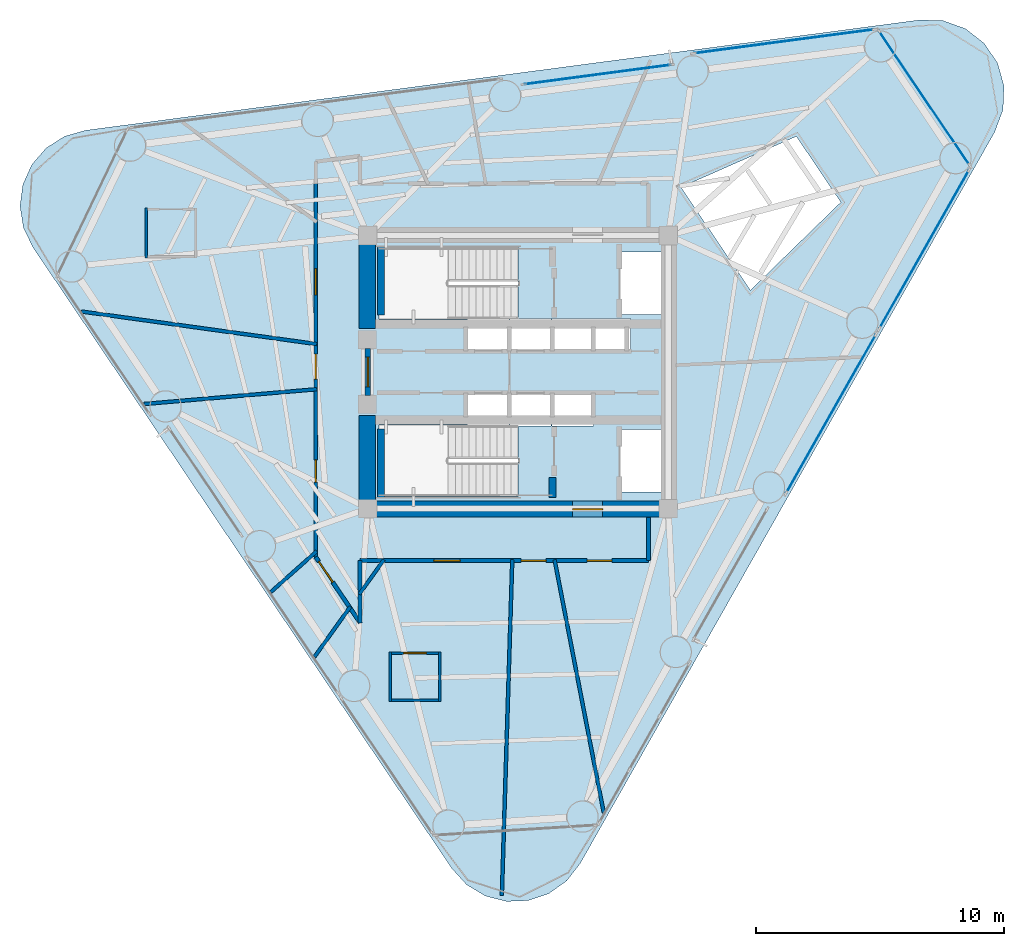
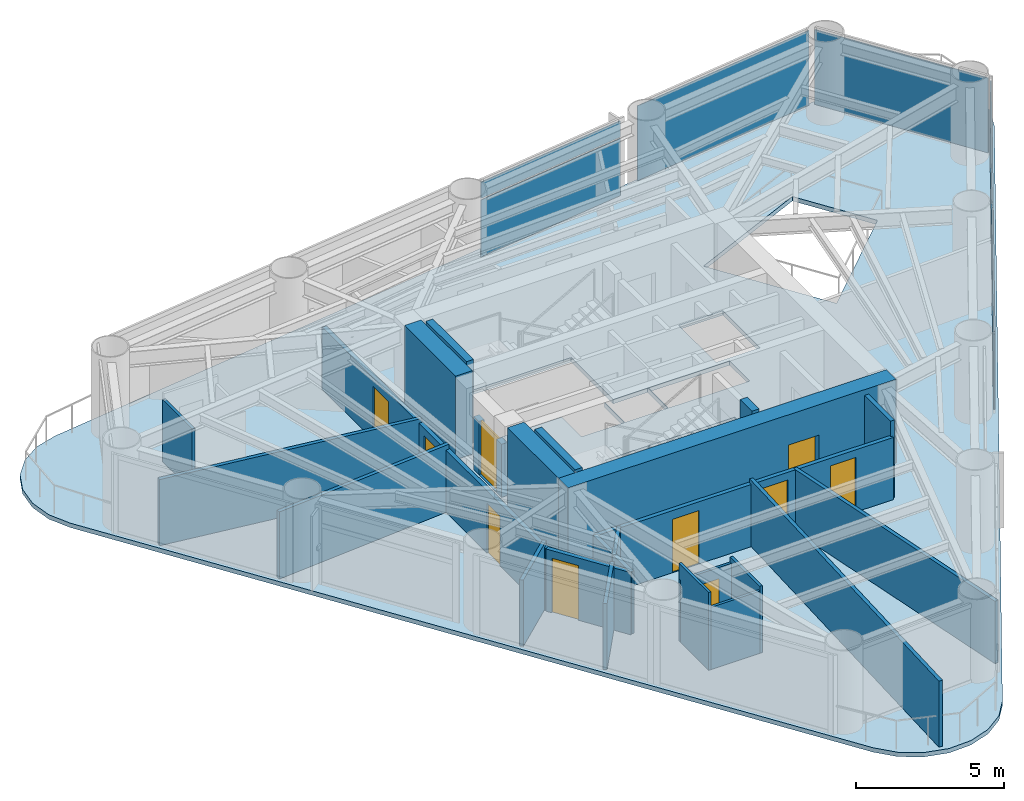
# One storey, part 5 of 10: 24 walls, 10 doors, 6 plates, 1 slab, 10 openings, 5 elements without a shape of their own.
"""IFC4 building model written with IfcOpenShell, lengths in metres."""

from ifc_helpers import new_model, si_unit, direction, frame, frame_2d, origin, origin_2d, place, context, subcontext, project, spatial, polyline, rectangle, outline, extrude, source, transform, mapped, material, layer, layer_set, type_object, element, fill, aggregate, save


model = new_model("IFC4")

# Units and contexts
model_context = context("Model", 3, precision=1e-05, world=origin(), true_north=direction((0.0, 1.0)))
body_context = subcontext(model_context, "Body", "Model", "MODEL_VIEW")
ifc_project = project(units=[si_unit("LENGTHUNIT", "METRE"), si_unit("AREAUNIT", "SQUARE_METRE"), si_unit("VOLUMEUNIT", "CUBIC_METRE"), si_unit("PLANEANGLEUNIT", "RADIAN"), si_unit("MASSUNIT", "GRAM", prefix="KILO")], contexts=[model_context])

# Site, building, storey
site_placement = place(None, origin())
site = spatial("IfcSite", under=ifc_project, at=site_placement, CompositionType="ELEMENT")
building_placement = place(site_placement, origin())
building = spatial("IfcBuilding", under=site, at=building_placement, Name="Yunling Apex Tower", CompositionType="ELEMENT")
storey_placement = place(building_placement, frame((0.0, 0.0, 182.89990234375)))
storey = spatial("IfcBuildingStorey", under=building, at=storey_placement, Name="L45", CompositionType="ELEMENT", Elevation=182.89990234375)

# Slab
ifc_material_1 = material(Name="Concrete C40", Category="concrete")
ifc_layer_1 = layer(ifc_material_1, 0.1650390625)
ifc_layer_set_1 = layer_set([ifc_layer_1], Name="Concrete C40")
slab_type = type_object("IfcSlabType", Name="SL-FLR-2", PredefinedType="FLOOR", material=ifc_layer_set_1)
slab_placement = place(storey_placement, frame((0.0, 0.0, -0.179931640625)))
element("IfcSlab", 1, at=slab_placement, inside=storey, type_object=slab_type, Name="L45 Composite Tower Floor Slab", PredefinedType="FLOOR", context=body_context, shape_type="SweptSolid", body=[
    extrude(outline(polyline([(-2.665771484375, -20.00146484375), (-2.073486328125, -20.65185546875), (-1.31982421875, -21.10546875), (-0.468017578125, -21.32421875), (0.410888671875, -21.2900390625), (1.243408203125, -21.005615234375), (1.95947265625, -20.494873046875), (2.499267578125, -19.80029296875), (19.197998046875, 9.66650390625), (19.533203125, 10.565185546875), (19.572021484375, 11.5234375), (19.31005859375, 12.4462890625), (18.773681640625, 13.241455078125), (18.01611328125, 13.830078125), (17.113037109375, 14.1533203125), (16.154296875, 14.178955078125), (-17.422119140625, 9.734619140625), (-18.268310546875, 9.494384765625), (-19.01025390625, 9.021728515625), (-19.585693359375, 8.3564453125), (-19.947021484375, 7.554443359375), (-20.06298828125, 6.682373046875), (-19.9248046875, 5.813720703125), (-19.543701171875, 5.02099609375), (-2.665771484375, -20.00146484375)]), holes=[polyline([(11.209228515625, 9.49072265625), (12.998779296875, 6.837890625), (9.356689453125, 3.295654296875), (6.560791015625, 7.44091796875), (11.209228515625, 9.49072265625)]), polyline([(4.090087890625, -2.320068359375), (5.81005859375, -2.320068359375), (5.81005859375, -4.840087890625), (4.090087890625, -4.840087890625), (4.090087890625, -2.320068359375)]), polyline([(5.81005859375, 4.840087890625), (5.81005859375, 2.320068359375), (4.090087890625, 2.320068359375), (4.090087890625, 4.840087890625), (5.81005859375, 4.840087890625)]), polyline([(1.364990234375, 2.1650390625), (4.534912109375, 2.1650390625), (4.534912109375, 0.794921875), (1.364990234375, 0.794921875), (1.364990234375, 2.1650390625)]), polyline([(3.034912109375, -0.794921875), (3.034912109375, -2.1650390625), (1.364990234375, -2.1650390625), (1.364990234375, -0.794921875), (3.034912109375, -0.794921875)]), polyline([(-2.034912109375, -0.794921875), (-0.364990234375, -0.794921875), (-0.364990234375, -2.139892578125), (-0.3349609375, -2.139892578125), (-0.3349609375, -0.794921875), (1.3349609375, -0.794921875), (1.3349609375, -2.1650390625), (-0.010009765625, -2.1650390625), (-0.010009765625, -5.010009765625), (-5.60009765625, -5.010009765625), (-5.60009765625, -2.139892578125), (-2.034912109375, -2.139892578125), (-2.034912109375, -0.794921875)]), polyline([(-5.60009765625, 2.139892578125), (-5.60009765625, 5.010009765625), (-0.010009765625, 5.010009765625), (-0.010009765625, 2.1650390625), (1.3349609375, 2.1650390625), (1.3349609375, 0.794921875), (-0.3349609375, 0.794921875), (-0.3349609375, 2.139892578125), (-0.364990234375, 2.139892578125), (-0.364990234375, 0.794921875), (-2.034912109375, 0.794921875), (-2.034912109375, 2.139892578125), (-5.60009765625, 2.139892578125)])]), origin(), (0.0, 0.0, 1.0), 0.179931640625),
])

# Curtain wall, plates
ifc_material_2 = material(Name="Bronze anodised aluminium", Category="aluminium")
ifc_layer_2 = layer(ifc_material_2, 0.239990234375)
ifc_layer_set_2 = layer_set([ifc_layer_2], Name="Bronze anodised aluminium")
curtain_wall_type = type_object("IfcCurtainWallType", Name="CW-SYS-3", PredefinedType="NOTDEFINED", material=ifc_layer_set_2)
curtain_wall_1_placement = place(storey_placement, origin())
curtain_wall_1 = element("IfcCurtainWall", 2, at=curtain_wall_1_placement, inside=storey, type_object=curtain_wall_type, Name="CW-L45-F2-B2", PredefinedType="NOTDEFINED")
ifc_material_3 = material(Name="Bronze tinted low-E glass", Category="glass")
ifc_layer_3 = layer(ifc_material_3, 0.031982421875)
ifc_layer_set_3 = layer_set([ifc_layer_3], Name="Bronze tinted low-E glass")
plate_type = type_object("IfcPlateType", Name="CW-PNL-3", PredefinedType="CURTAIN_PANEL", material=ifc_layer_set_3)
shared_shape_1 = source(origin(), body_context, "Body", "SweptSolid", [
    extrude(rectangle(XDim=5.9365234375, YDim=0.031982421875, at=origin_2d()), origin(), (0.0, 0.0, 1.0), 2.350830078125),
])
plate_1_placement = place(storey_placement, frame((3.206298828125, 11.98095703125, 0.072265625), z_axis=(0.0, 0.0, 1.0), x_axis=(-0.99135526932, -0.131204916036, 0.0)))
plate_1 = element("IfcPlate", 3, at=plate_1_placement, type_object=plate_type, Name="CW-SYS-3 panel 1.1", PredefinedType="CURTAIN_PANEL", context=body_context, shape_type="MappedRepresentation", body=[
    mapped(shared_shape_1, transform((0.0, 0.0, 0.0), scale=1.0)),
])
shared_shape_2 = source(origin(), body_context, "Body", "SweptSolid", [
    extrude(rectangle(XDim=5.9365234375, YDim=0.031982421875, at=origin_2d()), origin(), (0.0, 0.0, 1.0), 0.671142578125),
])
plate_2_placement = place(storey_placement, frame((3.206298828125, 11.98095703125, 2.48681640625), z_axis=(0.0, 0.0, 1.0), x_axis=(-0.99135526932, -0.131204916036, 0.0)))
plate_2 = element("IfcPlate", 4, at=plate_2_placement, type_object=plate_type, Name="CW-SYS-3 panel 1.2", PredefinedType="CURTAIN_PANEL", context=body_context, shape_type="MappedRepresentation", body=[
    mapped(shared_shape_2, transform((0.0, 0.0, 0.0), scale=1.0)),
])
aggregate(curtain_wall_1, [plate_1, plate_2])

# Curtain wall, plate
curtain_wall_2_placement = place(storey_placement, origin())
curtain_wall_2 = element("IfcCurtainWall", 5, at=curtain_wall_2_placement, inside=storey, type_object=curtain_wall_type, Name="CW-L45-F1-B3", PredefinedType="NOTDEFINED")
shared_shape_3 = source(origin(), body_context, "Body", "SweptSolid", [
    extrude(rectangle(XDim=7.316650390625, YDim=0.031982421875, at=origin_2d()), origin(), (0.0, 0.0, 1.0), 3.0859375),
])
plate_3_placement = place(storey_placement, frame((12.60546875, -1.682861328125, 0.072021484375), z_axis=(0.0, 0.0, 1.0), x_axis=(0.493035230416, 0.870009345679, 0.0)))
plate_3 = element("IfcPlate", 6, at=plate_3_placement, type_object=plate_type, Name="CW-SYS-3 panel 1.1", PredefinedType="CURTAIN_PANEL", context=body_context, shape_type="MappedRepresentation", body=[
    mapped(shared_shape_3, transform((0.0, 0.0, 0.0), scale=1.0)),
])
aggregate(curtain_wall_2, [plate_3])

curtain_wall_3_placement = place(storey_placement, origin())
curtain_wall_3 = element("IfcCurtainWall", 7, at=curtain_wall_3_placement, inside=storey, type_object=curtain_wall_type, Name="CW-L45-F1-B4", PredefinedType="NOTDEFINED")
plate_4_placement = place(storey_placement, frame((16.362548828125, 4.947021484375, 0.072021484375), z_axis=(0.0, 0.0, 1.0), x_axis=(0.493040979859, 0.870006087438, 0.0)))
plate_4 = element("IfcPlate", 8, at=plate_4_placement, type_object=plate_type, Name="CW-SYS-3 panel 1.1", PredefinedType="CURTAIN_PANEL", context=body_context, shape_type="MappedRepresentation", body=[
    mapped(shared_shape_3, transform((0.0, 0.0, 0.0), scale=1.0)),
])
aggregate(curtain_wall_3, [plate_4])

curtain_wall_4_placement = place(storey_placement, origin())
curtain_wall_4 = element("IfcCurtainWall", 9, at=curtain_wall_4_placement, inside=storey, type_object=curtain_wall_type, Name="CW-L45-F2-B1", PredefinedType="NOTDEFINED")
plate_5_placement = place(storey_placement, frame((10.716552734375, 13.31787109375, 0.072021484375), z_axis=(0.0, 0.0, 1.0), x_axis=(-0.991352945496, -0.131222473138, 0.0)))
plate_5 = element("IfcPlate", 10, at=plate_5_placement, type_object=plate_type, Name="CW-SYS-3 panel 1.1", PredefinedType="CURTAIN_PANEL", context=body_context, shape_type="MappedRepresentation", body=[
    mapped(shared_shape_3, transform((0.0, 0.0, 0.0), scale=1.0)),
])
aggregate(curtain_wall_4, [plate_5])

curtain_wall_5_placement = place(storey_placement, origin())
curtain_wall_5 = element("IfcCurtainWall", 11, at=curtain_wall_5_placement, inside=storey, type_object=curtain_wall_type, Name="CW-L45-CRN1", PredefinedType="NOTDEFINED")
shared_shape_4 = source(origin(), body_context, "Body", "SweptSolid", [
    extrude(rectangle(XDim=6.521728515625, YDim=0.031982421875, at=origin_2d()), origin(), (0.0, 0.0, 1.0), 3.0859375),
])
plate_6_placement = place(storey_placement, frame((16.360107421875, 11.03515625, 0.072021484375), z_axis=(0.0, 0.0, 1.0), x_axis=(-0.559192747259, 0.829037677921, 0.0)))
plate_6 = element("IfcPlate", 12, at=plate_6_placement, type_object=plate_type, Name="CW-SYS-3 panel 1.1", PredefinedType="CURTAIN_PANEL", context=body_context, shape_type="MappedRepresentation", body=[
    mapped(shared_shape_4, transform((0.0, 0.0, 0.0), scale=1.0)),
])
aggregate(curtain_wall_5, [plate_6])

# Wall, opening, door
ifc_material_4 = material(Name="Concrete C50", Category="concrete")
ifc_layer_4 = layer(ifc_material_4, 0.64990234375)
ifc_layer_set_4 = layer_set([ifc_layer_4], Name="Concrete C50")
wall_type_1 = type_object("IfcWallType", Name="WL-COR-2", PredefinedType="SHEAR", material=ifc_layer_set_4)
wall_1_placement = place(storey_placement, frame((-6.39990234375, -5.52490234375, 0.0), z_axis=(0.0, 0.0, 1.0), x_axis=(1.0, 0.0, 0.0)))
wall_1 = element("IfcWall", 13, at=wall_1_placement, inside=storey, type_object=wall_type_1, Name="L45 South Core Shear Wall", PredefinedType="SHEAR", context=body_context, shape_type="SweptSolid", body=[
    extrude(rectangle(XDim=12.7998046875, YDim=0.64990234375, at=frame_2d((6.39990234375, 0.0))), origin(), (0.0, 0.0, 1.0), 3.4501953125),
])
opening_1_placement = place(wall_1_placement, frame((8.60009765625, 0.0, 0.0)))
opening_1 = element("IfcOpeningElement", 14, at=opening_1_placement, cuts=wall_1, Name="Opening DR-FFL-1", PredefinedType="OPENING", context=body_context, shape_type="SweptSolid", body=[
    extrude(rectangle(XDim=1.199951171875, YDim=2.199951171875, at=frame_2d((0.60009765625, 1.10009765625))), frame((0.0, 0.3349609375, 0.0), z_axis=(0.0, -1.0, 0.0), x_axis=(1.0, 0.0, 0.0)), (0.0, 0.0, 1.0), 0.669921875),
])
ifc_material_5 = material(Name="Steel Q355B", Category="steel")
door_type_1 = type_object("IfcDoorType", Name="DR-FFL-1", OperationType="NOTDEFINED", PredefinedType="DOOR", material=ifc_material_5)
door_1_placement = place(opening_1_placement, origin())
door_1 = element("IfcDoor", 15, at=door_1_placement, inside=storey, type_object=door_type_1, Name="L45 South Firefighting Lobby Door", OperationType="SINGLE_SWING_RIGHT", OverallHeight=2.199951171875, OverallWidth=1.199951171875, PredefinedType="DOOR", context=body_context, shape_type="SweptSolid", body=[
    extrude(rectangle(XDim=1.199951171875, YDim=2.199951171875, at=frame_2d((0.60009765625, 1.10009765625))), frame((0.0, 0.02490234375, 0.0), z_axis=(0.0, -1.0, 0.0), x_axis=(1.0, 0.0, 0.0)), (0.0, 0.0, 1.0), 0.050048828125),
])
fill(opening_1, door_1)

# Walls
for number, where, z_axis, x_axis, name in (
    (16, (-6.074951171875, -5.199951171875, 0.0), (0.0, 0.0, 1.0), (0.0, 1.0, 0.0), "L45 West-South Core Shear Wall"),
    (17, (-6.074951171875, 1.75, 0.0), (0.0, 0.0, 1.0), (0.0, 1.0, 0.0), "L45 West-North Core Shear Wall"),
):
    element("IfcWall", number, at=place(storey_placement, frame(where, z_axis=z_axis, x_axis=x_axis)), inside=storey, type_object=wall_type_1, Name=name, PredefinedType="SHEAR", context=body_context, shape_type="SweptSolid", body=[
        extrude(rectangle(XDim=3.449951171875, YDim=0.64990234375, at=frame_2d((1.72509765625, 0.0))), origin(), (0.0, 0.0, 1.0), 3.4501953125),
    ])
ifc_layer_5 = layer(ifc_material_1, 0.280029296875)
ifc_layer_set_5 = layer_set([ifc_layer_5], Name="Concrete C40")
wall_type_2 = type_object("IfcWallType", Name="WL-COR-8", PredefinedType="SHEAR", material=ifc_layer_set_5)
for number, where, z_axis, x_axis, name in (
    (18, (-5.52001953125, 2.300048828125, 0.0), (0.0, 0.0, 1.0), (0.0, 1.0, 0.0), "L45 ST-1 West Landing Bearing Wall"),
    (19, (-5.52001953125, -5.050048828125, 0.0), (0.0, 0.0, 1.0), (0.0, 1.0, 0.0), "L45 ST-2 West Landing Bearing Wall"),
):
    element("IfcWall", number, at=place(storey_placement, frame(where, z_axis=z_axis, x_axis=x_axis)), inside=storey, type_object=wall_type_2, Name=name, PredefinedType="SHEAR", context=body_context, shape_type="SweptSolid", body=[
        extrude(rectangle(XDim=2.75, YDim=0.280029296875, at=frame_2d((1.375, 0.0))), origin(), (0.0, 0.0, 1.0), 3.4501953125),
    ])
wall_2_placement = place(storey_placement, frame((1.3798828125, -5.050048828125, 0.0), z_axis=(0.0, 0.0, 1.0), x_axis=(0.0, 1.0, 0.0)))
element("IfcWall", 20, at=wall_2_placement, inside=storey, type_object=wall_type_2, Name="L45 ST-2 East Landing Bearing Pier", PredefinedType="SHEAR", context=body_context, shape_type="SweptSolid", body=[
    extrude(rectangle(XDim=0.800048828125, YDim=0.280029296875, at=frame_2d((0.39990234375, 0.0))), origin(), (0.0, 0.0, 1.0), 3.4501953125),
])

# Wall, opening, door
ifc_material_6 = material(Name="Gypsum board acoustic partition")
ifc_layer_6 = layer(ifc_material_6, 0.159912109375)
ifc_layer_set_6 = layer_set([ifc_layer_6], Name="Gypsum board acoustic partition")
wall_type_3 = type_object("IfcWallType", Name="WL-PRT-1", PredefinedType="PARTITIONING", material=ifc_layer_set_6)
wall_3_placement = place(storey_placement, frame((-6.360107421875, -10.107421875, 0.0), z_axis=(0.0, 0.0, 1.0), x_axis=(-0.559145325895, 0.829069662049, 0.0)))
wall_3 = element("IfcWall", 21, at=wall_3_placement, inside=storey, type_object=wall_type_3, Name="WL-CORR-L45-01", PredefinedType="PARTITIONING", context=body_context, shape_type="SweptSolid", body=[
    extrude(rectangle(XDim=3.200927734375, YDim=0.159912109375, at=frame_2d((1.6005859375, 0.0))), origin(), (0.0, 0.0, 1.0), 2.565185546875),
])
opening_2_placement = place(wall_3_placement, frame((1.980712890625, 0.0, 0.0)))
opening_2 = element("IfcOpeningElement", 22, at=opening_2_placement, cuts=wall_3, Name="Opening DR-OFF-1", PredefinedType="OPENING", context=body_context, shape_type="SweptSolid", body=[
    extrude(rectangle(XDim=1.0, YDim=2.25, at=frame_2d((0.5, 1.125))), frame((0.0, 0.08984375, 0.0), z_axis=(0.0, -1.0, 0.0), x_axis=(1.0, 0.0, 0.0)), (0.0, 0.0, 1.0), 0.179931640625),
])
door_type_2 = type_object("IfcDoorType", Name="DR-OFF-1", OperationType="NOTDEFINED", PredefinedType="DOOR", material=ifc_material_2)
door_2_placement = place(opening_2_placement, origin())
door_2 = element("IfcDoor", 23, at=door_2_placement, inside=storey, type_object=door_type_2, Name="L45 Banquet Pantry Kitchen Door", OperationType="SINGLE_SWING_RIGHT", OverallHeight=2.25, OverallWidth=1.0, PredefinedType="DOOR", context=body_context, shape_type="SweptSolid", body=[
    extrude(rectangle(XDim=1.0, YDim=2.25, at=frame_2d((0.5, 1.125))), frame((0.0, 0.02490234375, 0.0), z_axis=(0.0, -1.0, 0.0), x_axis=(1.0, 0.0, 0.0)), (0.0, 0.0, 1.0), 0.050048828125),
])
fill(opening_2, door_2)

# Wall, openings, doors
wall_4_placement = place(storey_placement, frame((-8.14990234375, -7.45361328125, 0.0), z_axis=(0.0, 0.0, 1.0), x_axis=(0.0, 1.0, 0.0)))
wall_4 = element("IfcWall", 24, at=wall_4_placement, inside=storey, type_object=wall_type_3, Name="WL-CORR-L45-02", PredefinedType="PARTITIONING", context=body_context, shape_type="SweptSolid", body=[
    extrude(rectangle(XDim=15.0537109375, YDim=0.159912109375, at=frame_2d((7.52685546875, 0.0))), origin(), (0.0, 0.0, 1.0), 2.565185546875),
])
opening_3_placement = place(wall_4_placement, frame((3.018798828125, 0.0, 0.0)))
opening_3 = element("IfcOpeningElement", 25, at=opening_3_placement, cuts=wall_4, Name="Opening DR-SHF-1", PredefinedType="OPENING", context=body_context, shape_type="SweptSolid", body=[
    extrude(rectangle(XDim=0.89990234375, YDim=2.050048828125, at=frame_2d((0.449951171875, 1.02490234375))), frame((0.0, 0.08984375, 0.0), z_axis=(0.0, -1.0, 0.0), x_axis=(1.0, 0.0, 0.0)), (0.0, 0.0, 1.0), 0.179931640625),
])
opening_4_placement = place(wall_4_placement, frame((7.171630859375, 0.0, 0.0)))
opening_4 = element("IfcOpeningElement", 26, at=opening_4_placement, cuts=wall_4, Name="Opening DR-OFF-1", PredefinedType="OPENING", context=body_context, shape_type="SweptSolid", body=[
    extrude(rectangle(XDim=1.0, YDim=2.25, at=frame_2d((0.5, 1.125))), frame((0.0, 0.08984375, 0.0), z_axis=(0.0, -1.0, 0.0), x_axis=(1.0, 0.0, 0.0)), (0.0, 0.0, 1.0), 0.179931640625),
])
opening_5_placement = place(wall_4_placement, frame((10.5634765625, 0.0, 0.0)))
opening_5 = element("IfcOpeningElement", 27, at=opening_5_placement, cuts=wall_4, Name="Opening DR-FL-1", PredefinedType="OPENING", context=body_context, shape_type="SweptSolid", body=[
    extrude(rectangle(XDim=1.050048828125, YDim=2.199951171875, at=frame_2d((0.52490234375, 1.10009765625))), frame((0.0, 0.08984375, 0.0), z_axis=(0.0, -1.0, 0.0), x_axis=(1.0, 0.0, 0.0)), (0.0, 0.0, 1.0), 0.179931640625),
])
ifc_material_7 = material(Name="Timber fire-rated leaf", Category="wood")
door_type_3 = type_object("IfcDoorType", Name="DR-FL-1", OperationType="NOTDEFINED", PredefinedType="DOOR", material=ifc_material_7)
door_3_placement = place(opening_5_placement, origin())
door_3 = element("IfcDoor", 28, at=door_3_placement, inside=storey, type_object=door_type_3, Name="L45 Hotel Suite Door", OperationType="SINGLE_SWING_LEFT", OverallHeight=2.199951171875, OverallWidth=1.050048828125, PredefinedType="DOOR", context=body_context, shape_type="SweptSolid", body=[
    extrude(rectangle(XDim=1.050048828125, YDim=2.199951171875, at=frame_2d((0.52490234375, 1.10009765625))), frame((0.0, 0.02490234375, 0.0), z_axis=(0.0, -1.0, 0.0), x_axis=(1.0, 0.0, 0.0)), (0.0, 0.0, 1.0), 0.050048828125),
])
fill(opening_5, door_3)
door_4_placement = place(opening_4_placement, origin())
door_4 = element("IfcDoor", 29, at=door_4_placement, inside=storey, type_object=door_type_2, Name="L45 Club Lounge Door", OperationType="SINGLE_SWING_RIGHT", OverallHeight=2.25, OverallWidth=1.0, PredefinedType="DOOR", context=body_context, shape_type="SweptSolid", body=[
    extrude(rectangle(XDim=1.0, YDim=2.25, at=frame_2d((0.5, 1.125))), frame((0.0, 0.02490234375, 0.0), z_axis=(0.0, -1.0, 0.0), x_axis=(1.0, 0.0, 0.0)), (0.0, 0.0, 1.0), 0.050048828125),
])
fill(opening_4, door_4)
door_type_4 = type_object("IfcDoorType", Name="DR-SHF-1", OperationType="NOTDEFINED", PredefinedType="DOOR", material=ifc_material_5)
door_5_placement = place(opening_3_placement, origin())
door_5 = element("IfcDoor", 30, at=door_5_placement, inside=storey, type_object=door_type_4, Name="L45 Housekeeping Room Door", OperationType="SINGLE_SWING_LEFT", OverallHeight=2.050048828125, OverallWidth=0.89990234375, PredefinedType="DOOR", context=body_context, shape_type="SweptSolid", body=[
    extrude(rectangle(XDim=0.89990234375, YDim=2.050048828125, at=frame_2d((0.449951171875, 1.02490234375))), frame((0.0, 0.02490234375, 0.0), z_axis=(0.0, -1.0, 0.0), x_axis=(1.0, 0.0, 0.0)), (0.0, 0.0, 1.0), 0.050048828125),
])
fill(opening_3, door_5)

# Wall
wall_5_placement = place(storey_placement, frame((5.25, -5.85009765625, 0.0), z_axis=(0.0, 0.0, 1.0), x_axis=(0.0, -1.0, 0.0)))
element("IfcWall", 31, at=wall_5_placement, inside=storey, type_object=wall_type_3, Name="WL-CORR-L45-08", PredefinedType="PARTITIONING", context=body_context, shape_type="SweptSolid", body=[
    extrude(rectangle(XDim=1.75, YDim=0.159912109375, at=frame_2d((0.875, 0.0))), origin(), (0.0, 0.0, 1.0), 3.210205078125),
])

# Wall, openings, doors
wall_6_placement = place(storey_placement, frame((5.25, -7.60009765625, 0.0), z_axis=(0.0, 0.0, 1.0), x_axis=(-1.0, 0.0, 0.0)))
wall_6 = element("IfcWall", 32, at=wall_6_placement, inside=storey, type_object=wall_type_3, Name="WL-CORR-L45-09", PredefinedType="PARTITIONING", context=body_context, shape_type="SweptSolid", body=[
    extrude(rectangle(XDim=11.610107421875, YDim=0.159912109375, at=frame_2d((5.80517578125, 0.0))), origin(), (0.0, 0.0, 1.0), 2.565185546875),
])
opening_6_placement = place(wall_6_placement, frame((1.471923828125, 0.0, 0.0)))
opening_6 = element("IfcOpeningElement", 33, at=opening_6_placement, cuts=wall_6, Name="Opening DR-OFF-1", PredefinedType="OPENING", context=body_context, shape_type="SweptSolid", body=[
    extrude(rectangle(XDim=1.0, YDim=2.25, at=frame_2d((0.5, 1.125))), frame((0.0, 0.08984375, 0.0), z_axis=(0.0, -1.0, 0.0), x_axis=(1.0, 0.0, 0.0)), (0.0, 0.0, 1.0), 0.179931640625),
])
opening_7_placement = place(wall_6_placement, frame((4.123046875, 0.0, 0.0)))
opening_7 = element("IfcOpeningElement", 34, at=opening_7_placement, cuts=wall_6, Name="Opening DR-OFF-1", PredefinedType="OPENING", context=body_context, shape_type="SweptSolid", body=[
    extrude(rectangle(XDim=1.0, YDim=2.25, at=frame_2d((0.5, 1.125))), frame((0.0, 0.08984375, 0.0), z_axis=(0.0, -1.0, 0.0), x_axis=(1.0, 0.0, 0.0)), (0.0, 0.0, 1.0), 0.179931640625),
])
opening_8_placement = place(wall_6_placement, frame((7.589111328125, 0.0, 0.0)))
opening_8 = element("IfcOpeningElement", 35, at=opening_8_placement, cuts=wall_6, Name="Opening DR-FL-1", PredefinedType="OPENING", context=body_context, shape_type="SweptSolid", body=[
    extrude(rectangle(XDim=1.050048828125, YDim=2.199951171875, at=frame_2d((0.52490234375, 1.10009765625))), frame((0.0, 0.08984375, 0.0), z_axis=(0.0, -1.0, 0.0), x_axis=(1.0, 0.0, 0.0)), (0.0, 0.0, 1.0), 0.179931640625),
])
door_6_placement = place(opening_8_placement, origin())
door_6 = element("IfcDoor", 36, at=door_6_placement, inside=storey, type_object=door_type_3, Name="L45 Hotel Suite Door", OperationType="SINGLE_SWING_RIGHT", OverallHeight=2.199951171875, OverallWidth=1.050048828125, PredefinedType="DOOR", context=body_context, shape_type="SweptSolid", body=[
    extrude(rectangle(XDim=1.050048828125, YDim=2.199951171875, at=frame_2d((0.52490234375, 1.10009765625))), frame((0.0, 0.02490234375, 0.0), z_axis=(0.0, -1.0, 0.0), x_axis=(1.0, 0.0, 0.0)), (0.0, 0.0, 1.0), 0.050048828125),
])
fill(opening_8, door_6)
door_7_placement = place(opening_6_placement, origin())
door_7 = element("IfcDoor", 37, at=door_7_placement, inside=storey, type_object=door_type_2, Name="L45 Club Lounge Door", OperationType="SINGLE_SWING_RIGHT", OverallHeight=2.25, OverallWidth=1.0, PredefinedType="DOOR", context=body_context, shape_type="SweptSolid", body=[
    extrude(rectangle(XDim=1.0, YDim=2.25, at=frame_2d((0.5, 1.125))), frame((0.0, 0.02490234375, 0.0), z_axis=(0.0, -1.0, 0.0), x_axis=(1.0, 0.0, 0.0)), (0.0, 0.0, 1.0), 0.050048828125),
])
fill(opening_6, door_7)
door_8_placement = place(opening_7_placement, origin())
door_8 = element("IfcDoor", 38, at=door_8_placement, inside=storey, type_object=door_type_2, Name="L45 Club Lounge Door", OperationType="SINGLE_SWING_LEFT", OverallHeight=2.25, OverallWidth=1.0, PredefinedType="DOOR", context=body_context, shape_type="SweptSolid", body=[
    extrude(rectangle(XDim=1.0, YDim=2.25, at=frame_2d((0.5, 1.125))), frame((0.0, 0.02490234375, 0.0), z_axis=(0.0, -1.0, 0.0), x_axis=(1.0, 0.0, 0.0)), (0.0, 0.0, 1.0), 0.050048828125),
])
fill(opening_7, door_8)

# Walls
wall_7_placement = place(storey_placement, frame((-6.360107421875, -7.60009765625, 0.0), z_axis=(0.0, 0.0, 1.0), x_axis=(0.0, -1.0, 0.0)))
element("IfcWall", 39, at=wall_7_placement, inside=storey, type_object=wall_type_3, Name="WL-CORR-L45-10", PredefinedType="PARTITIONING", context=body_context, shape_type="SweptSolid", body=[
    extrude(rectangle(XDim=2.50732421875, YDim=0.159912109375, at=frame_2d((1.253662109375, 0.0))), origin(), (0.0, 0.0, 1.0), 2.565185546875),
])
ifc_layer_7 = layer(ifc_material_6, 0.139892578125)
ifc_layer_set_7 = layer_set([ifc_layer_7], Name="Gypsum board acoustic partition")
wall_type_4 = type_object("IfcWallType", Name="WL-PRT-2", PredefinedType="PARTITIONING", material=ifc_layer_set_7)
wall_8_placement = place(storey_placement, frame((-8.110107421875, 1.123779296875, 0.0), z_axis=(0.0, 0.0, 1.0), x_axis=(-0.990537537155, 0.137242076229, 0.0)))
element("IfcWall", 40, at=wall_8_placement, inside=storey, type_object=wall_type_4, Name="WL-RAD-L45-06", PredefinedType="PARTITIONING", context=body_context, shape_type="SweptSolid", body=[
    extrude(rectangle(XDim=9.5634765625, YDim=0.139892578125, at=frame_2d((4.78173828125, 0.0))), origin(), (0.0, 0.0, 1.0), 2.72509765625),
])
wall_9_placement = place(storey_placement, frame((-8.110107421875, -0.693603515625, 0.0), z_axis=(0.0, 0.0, 1.0), x_axis=(-0.996360400447, -0.085240556199, 0.0)))
element("IfcWall", 41, at=wall_9_placement, inside=storey, type_object=wall_type_4, Name="WL-RAD-L45-07", PredefinedType="PARTITIONING", context=body_context, shape_type="SweptSolid", body=[
    extrude(rectangle(XDim=6.985595703125, YDim=0.139892578125, at=frame_2d((3.49267578125, 0.0))), origin(), (0.0, 0.0, 1.0), 2.76513671875),
])
wall_10_placement = place(storey_placement, frame((-8.110107421875, -7.21728515625, 0.0), z_axis=(0.0, 0.0, 1.0), x_axis=(-0.747006826924, -0.66481636602, 0.0)))
element("IfcWall", 42, at=wall_10_placement, inside=storey, type_object=wall_type_4, Name="WL-RAD-L45-08", PredefinedType="PARTITIONING", context=body_context, shape_type="SweptSolid", body=[
    extrude(rectangle(XDim=2.477294921875, YDim=0.139892578125, at=frame_2d((1.23876953125, 0.0))), origin(), (0.0, 0.0, 1.0), 2.72509765625),
])
wall_11_placement = place(storey_placement, frame((-5.403564453125, -7.56005859375, 0.0), z_axis=(0.0, 0.0, 1.0), x_axis=(-0.581467296449, -0.813569777683, 0.0)))
element("IfcWall", 43, at=wall_11_placement, inside=storey, type_object=wall_type_4, Name="WL-RAD-L45-09", PredefinedType="PARTITIONING", context=body_context, shape_type="SweptSolid", body=[
    extrude(rectangle(XDim=1.71337890625, YDim=0.139892578125, at=frame_2d((0.856689453125, 0.0))), origin(), (0.0, 0.0, 1.0), 2.565185546875),
])
wall_12_placement = place(storey_placement, frame((-6.7548828125, -9.450439453125, 0.0), z_axis=(0.0, 0.0, 1.0), x_axis=(-0.581461082044, -0.813574219152, 0.0)))
element("IfcWall", 44, at=wall_12_placement, inside=storey, type_object=wall_type_4, Name="WL-RAD-L45-10", PredefinedType="PARTITIONING", context=body_context, shape_type="SweptSolid", body=[
    extrude(rectangle(XDim=2.486572265625, YDim=0.139892578125, at=frame_2d((1.2431640625, 0.0))), origin(), (0.0, 0.0, 1.0), 2.72509765625),
])
wall_13_placement = place(storey_placement, frame((-0.234619140625, -7.56005859375, 0.0), z_axis=(0.0, 0.0, 1.0), x_axis=(-0.031020231712, -0.999518756815, 0.0)))
element("IfcWall", 45, at=wall_13_placement, inside=storey, type_object=wall_type_4, Name="WL-RAD-L45-11", PredefinedType="PARTITIONING", context=body_context, shape_type="SweptSolid", body=[
    extrude(rectangle(XDim=13.537109375, YDim=0.139892578125, at=frame_2d((6.7685546875, 0.0))), origin(), (0.0, 0.0, 1.0), 2.72509765625),
])
wall_14_placement = place(storey_placement, frame((1.469482421875, -7.56005859375, 0.0), z_axis=(0.0, 0.0, 1.0), x_axis=(0.190824358974, -0.981624196942, 0.0)))
element("IfcWall", 46, at=wall_14_placement, inside=storey, type_object=wall_type_4, Name="WL-RAD-L45-12", PredefinedType="PARTITIONING", context=body_context, shape_type="SweptSolid", body=[
    extrude(rectangle(XDim=10.38623046875, YDim=0.139892578125, at=frame_2d((5.193115234375, 0.0))), origin(), (0.0, 0.0, 1.0), 2.565185546875),
])

# Wall, opening, door
ifc_layer_8 = layer(ifc_material_6, 0.10009765625)
ifc_layer_set_8 = layer_set([ifc_layer_8], Name="Gypsum board acoustic partition")
wall_type_5 = type_object("IfcWallType", Name="WL-PRT-4", PredefinedType="PARTITIONING", material=ifc_layer_set_8)
wall_15_placement = place(storey_placement, frame((-5.199951171875, -11.319091796875, 0.0), z_axis=(0.0, 0.0, 1.0), x_axis=(1.0, 0.0, 0.0)))
wall_15 = element("IfcWall", 47, at=wall_15_placement, inside=storey, type_object=wall_type_5, Name="WL-ENS-L45-3N", PredefinedType="PARTITIONING", context=body_context, shape_type="SweptSolid", body=[
    extrude(rectangle(XDim=2.099853515625, YDim=0.10009765625, at=frame_2d((1.0498046875, 0.0))), origin(), (0.0, 0.0, 1.0), 2.565185546875),
])
opening_9_placement = place(wall_15_placement, frame((0.590087890625, 0.0, 0.0)))
opening_9 = element("IfcOpeningElement", 48, at=opening_9_placement, cuts=wall_15, Name="Opening DR-WC-1", PredefinedType="OPENING", context=body_context, shape_type="SweptSolid", body=[
    extrude(rectangle(XDim=0.919921875, YDim=2.10009765625, at=frame_2d((0.4599609375, 1.050048828125))), frame((0.0, 0.06005859375, 0.0), z_axis=(0.0, -1.0, 0.0), x_axis=(1.0, 0.0, 0.0)), (0.0, 0.0, 1.0), 0.1201171875),
])
ifc_material_8 = material(Name="Timber moisture-resistant leaf", Category="wood")
door_type_5 = type_object("IfcDoorType", Name="DR-WC-1", OperationType="NOTDEFINED", PredefinedType="DOOR", material=ifc_material_8)
door_9_placement = place(opening_9_placement, origin())
door_9 = element("IfcDoor", 49, at=door_9_placement, inside=storey, type_object=door_type_5, Name="L45 En-Suite Door", OperationType="SINGLE_SWING_RIGHT", OverallHeight=2.10009765625, OverallWidth=0.919921875, PredefinedType="DOOR", context=body_context, shape_type="SweptSolid", body=[
    extrude(rectangle(XDim=0.919921875, YDim=2.10009765625, at=frame_2d((0.4599609375, 1.050048828125))), frame((0.0, 0.02490234375, 0.0), z_axis=(0.0, -1.0, 0.0), x_axis=(1.0, 0.0, 0.0)), (0.0, 0.0, 1.0), 0.050048828125),
])
fill(opening_9, door_9)

# Walls
wall_16_placement = place(storey_placement, frame((-3.10009765625, -13.218994140625, 0.0), z_axis=(0.0, 0.0, 1.0), x_axis=(-1.0, 0.0, 0.0)))
element("IfcWall", 50, at=wall_16_placement, inside=storey, type_object=wall_type_5, Name="WL-ENS-L45-3S", PredefinedType="PARTITIONING", context=body_context, shape_type="SweptSolid", body=[
    extrude(rectangle(XDim=2.099853515625, YDim=0.10009765625, at=frame_2d((1.0498046875, 0.0))), origin(), (0.0, 0.0, 1.0), 2.565185546875),
])
wall_17_placement = place(storey_placement, frame((-3.14990234375, -11.26904296875, 0.0), z_axis=(0.0, 0.0, 1.0), x_axis=(0.0, -1.0, 0.0)))
element("IfcWall", 51, at=wall_17_placement, inside=storey, type_object=wall_type_5, Name="WL-ENS-L45-3E", PredefinedType="PARTITIONING", context=body_context, shape_type="SweptSolid", body=[
    extrude(rectangle(XDim=2.0, YDim=0.10009765625, at=frame_2d((1.0, 0.0))), origin(), (0.0, 0.0, 1.0), 2.76513671875),
])
wall_18_placement = place(storey_placement, frame((-5.14990234375, -13.26904296875, 0.0), z_axis=(0.0, 0.0, 1.0), x_axis=(0.0, 1.0, 0.0)))
element("IfcWall", 52, at=wall_18_placement, inside=storey, type_object=wall_type_5, Name="WL-ENS-L45-3W", PredefinedType="PARTITIONING", context=body_context, shape_type="SweptSolid", body=[
    extrude(rectangle(XDim=2.0, YDim=0.10009765625, at=frame_2d((1.0, 0.0))), origin(), (0.0, 0.0, 1.0), 3.210205078125),
])
wall_19_placement = place(storey_placement, frame((-14.98193359375, 4.60107421875, 0.0), z_axis=(0.0, 0.0, 1.0), x_axis=(0.0, 1.0, 0.0)))
element("IfcWall", 53, at=wall_19_placement, inside=storey, type_object=wall_type_5, Name="WL-ENS-L45-10W", PredefinedType="PARTITIONING", context=body_context, shape_type="SweptSolid", body=[
    extrude(rectangle(XDim=2.0, YDim=0.10009765625, at=frame_2d((1.0, 0.0))), origin(), (0.0, 0.0, 1.0), 2.565185546875),
])

# Wall, opening, door
ifc_material_9 = material(Name="Autoclaved aerated concrete masonry", Category="masonry")
ifc_layer_9 = layer(ifc_material_9, 0.219970703125)
ifc_layer_set_9 = layer_set([ifc_layer_9], Name="Autoclaved aerated concrete masonry")
wall_type_6 = type_object("IfcWallType", Name="WL-SHF-1", PredefinedType="PLUMBINGWALL", material=ifc_layer_set_9)
wall_20_placement = place(storey_placement, frame((-6.050048828125, -0.949951171875, 0.0), z_axis=(0.0, 0.0, 1.0), x_axis=(0.0, 1.0, 0.0)))
wall_20 = element("IfcWall", 54, at=wall_20_placement, inside=storey, type_object=wall_type_6, Name="WL-COR-WPORT-L45", PredefinedType="PLUMBINGWALL", context=body_context, shape_type="SweptSolid", body=[
    extrude(rectangle(XDim=1.89990234375, YDim=0.219970703125, at=frame_2d((0.949951171875, 0.0))), origin(), (0.0, 0.0, 1.0), 2.190185546875),
])
opening_10_placement = place(wall_20_placement, frame((0.35009765625, 0.0, 0.0)))
opening_10 = element("IfcOpeningElement", 55, at=opening_10_placement, cuts=wall_20, Name="Opening DR-FFL-1", PredefinedType="OPENING", context=body_context, shape_type="SweptSolid", body=[
    extrude(rectangle(XDim=1.199951171875, YDim=2.199951171875, at=frame_2d((0.60009765625, 1.10009765625))), frame((0.0, 0.1201171875, 0.0), z_axis=(0.0, -1.0, 0.0), x_axis=(1.0, 0.0, 0.0)), (0.0, 0.0, 1.0), 0.239990234375),
])
door_10_placement = place(opening_10_placement, origin())
door_10 = element("IfcDoor", 56, at=door_10_placement, inside=storey, type_object=door_type_1, Name="L45 Passenger Lift Lobby Entrance Door", OperationType="SINGLE_SWING_LEFT", OverallHeight=2.199951171875, OverallWidth=1.199951171875, PredefinedType="DOOR", context=body_context, shape_type="SweptSolid", body=[
    extrude(rectangle(XDim=1.199951171875, YDim=2.199951171875, at=frame_2d((0.60009765625, 1.10009765625))), frame((0.0, 0.02490234375, 0.0), z_axis=(0.0, -1.0, 0.0), x_axis=(1.0, 0.0, 0.0)), (0.0, 0.0, 1.0), 0.050048828125),
])
fill(opening_10, door_10)

save(model, "model.ifc")
